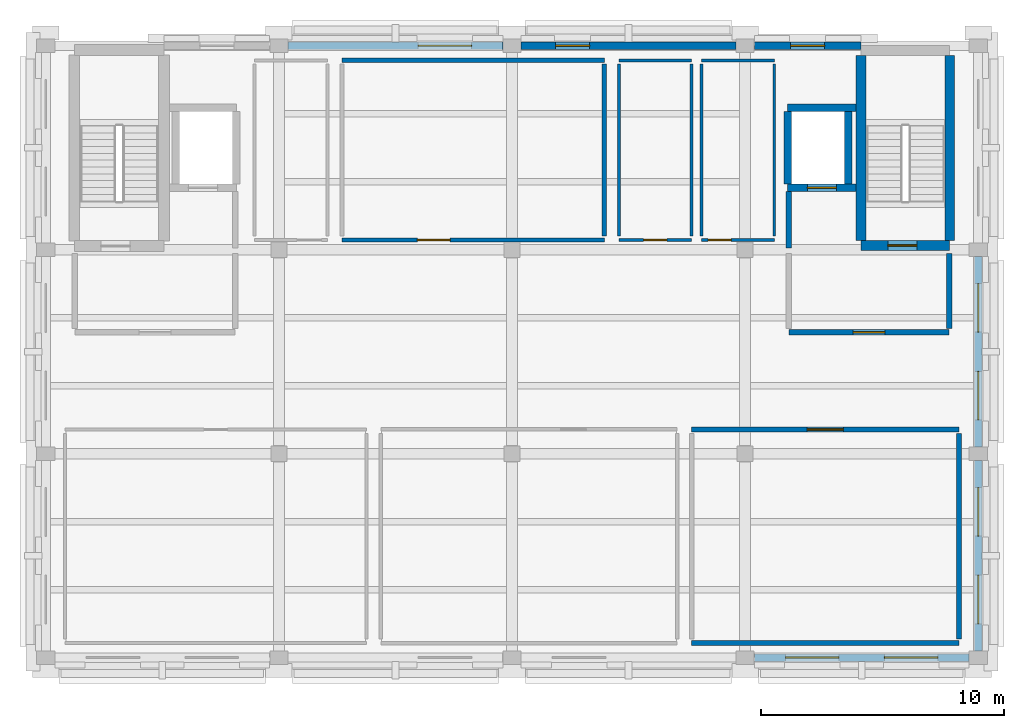
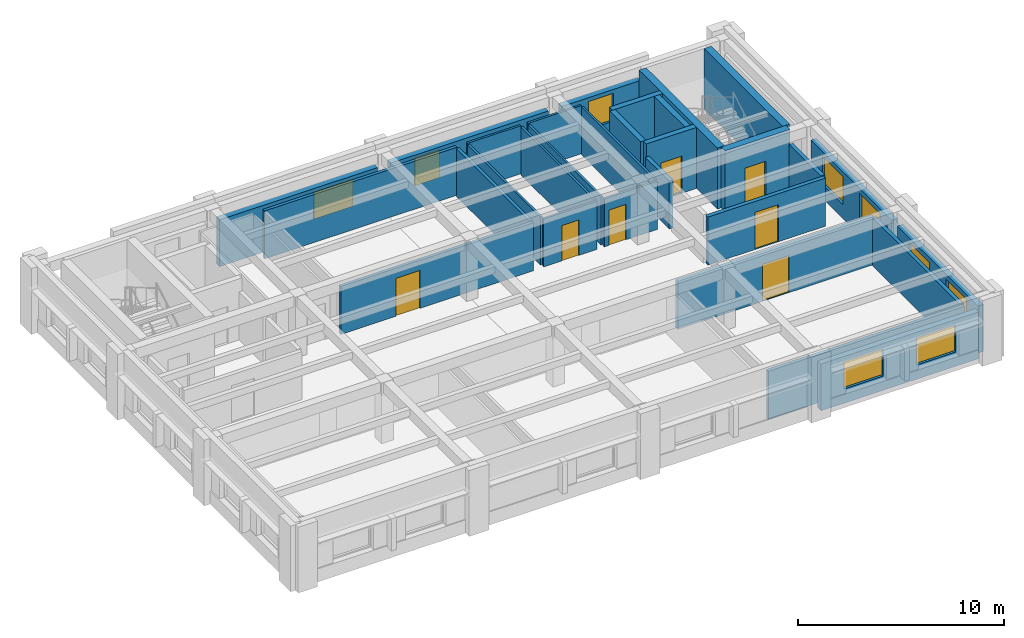
# One storey, part 3 of 7: 30 walls, 9 windows, 7 doors, 16 openings.
"""IFC4 building model written with IfcOpenShell, lengths in metres."""

from ifc_helpers import new_model, si_unit, direction, frame, frame_2d, origin, place, context, subcontext, project, spatial, rectangle, extrude, material, layer, layer_set, type_object, element, fill, save


model = new_model("IFC4")

# Units and contexts
model_context = context("Model", 3, precision=1e-05, world=origin(), true_north=direction((0.0, 1.0)))
body_context = subcontext(model_context, "Body", "Model", "MODEL_VIEW")
ifc_project = project(units=[si_unit("LENGTHUNIT", "METRE"), si_unit("AREAUNIT", "SQUARE_METRE"), si_unit("VOLUMEUNIT", "CUBIC_METRE"), si_unit("PLANEANGLEUNIT", "RADIAN"), si_unit("MASSUNIT", "GRAM", prefix="KILO")], contexts=[model_context])

# Site, building, storey
site_placement = place(None, origin())
site = spatial("IfcSite", under=ifc_project, at=site_placement, CompositionType="ELEMENT")
building_placement = place(site_placement, origin())
building = spatial("IfcBuilding", under=site, at=building_placement, Name="Bempovik Park Faculty of Sciences", CompositionType="ELEMENT")
storey_placement = place(building_placement, frame((0.0, 0.0, 42.300048828125)))
storey = spatial("IfcBuildingStorey", under=building, at=storey_placement, Name="L10", CompositionType="ELEMENT", Elevation=42.300048828125)

# Wall, opening, door
ifc_material_1 = material(Name="Gypsum acoustic stud assembly")
ifc_layer_1 = layer(ifc_material_1, 0.1201171875)
ifc_layer_set_1 = layer_set([ifc_layer_1], Name="Gypsum acoustic stud assembly")
wall_type_1 = type_object("IfcWallType", Name="W-17 Wall 120mm", PredefinedType="PARTITIONING", material=ifc_layer_set_1)
wall_1_placement = place(storey_placement, frame((93.199951171875, 111.39990234375, 0.0), z_axis=(0.0, 0.0, 1.0), x_axis=(1.0, 0.0, 0.0)))
wall_1 = element("IfcWall", 1, at=wall_1_placement, inside=storey, type_object=wall_type_1, Name="L10 L10 Male WC Partition South", PredefinedType="PARTITIONING", context=body_context, shape_type="SweptSolid", body=[
    extrude(rectangle(XDim=3.0, YDim=0.1201171875, at=frame_2d((1.5, 0.0))), origin(), (0.0, 0.0, 1.0), 2.849853515625),
])
opening_1_placement = place(wall_1_placement, frame((1.02490234375, 0.0, 0.0)))
opening_1 = element("IfcOpeningElement", 2, at=opening_1_placement, cuts=wall_1, Name="Opening D-56", PredefinedType="OPENING", context=body_context, shape_type="SweptSolid", body=[
    extrude(rectangle(XDim=0.949951171875, YDim=2.10009765625, at=frame_2d((0.47509765625, 1.050048828125))), frame((0.0, 0.070068359375, 0.0), z_axis=(0.0, -1.0, 0.0), x_axis=(1.0, 0.0, 0.0)), (0.0, 0.0, 1.0), 0.14013671875),
])
ifc_material_2 = material(Name="West African hardwood finish", Category="wood")
door_type_1 = type_object("IfcDoorType", Name="D-56 Door 950x2100", OperationType="NOTDEFINED", PredefinedType="DOOR", material=ifc_material_2)
door_1_placement = place(opening_1_placement, origin())
door_1 = element("IfcDoor", 3, at=door_1_placement, inside=storey, type_object=door_type_1, Name="L10 L10 Male WC Door", OperationType="SINGLE_SWING_LEFT", OverallHeight=2.10009765625, OverallWidth=0.949951171875, PredefinedType="DOOR", context=body_context, shape_type="SweptSolid", body=[
    extrude(rectangle(XDim=0.949951171875, YDim=2.10009765625, at=frame_2d((0.47509765625, 1.050048828125))), frame((0.0, 0.02490234375, 0.0), z_axis=(0.0, -1.0, 0.0), x_axis=(1.0, 0.0, 0.0)), (0.0, 0.0, 1.0), 0.050048828125),
])
fill(opening_1, door_1)

# Walls
wall_2_placement = place(storey_placement, frame((93.199951171875, 118.800048828125, 0.0), z_axis=(0.0, 0.0, 1.0), x_axis=(1.0, 0.0, 0.0)))
element("IfcWall", 4, at=wall_2_placement, inside=storey, type_object=wall_type_1, Name="L10 L10 Male WC Partition North", PredefinedType="PARTITIONING", context=body_context, shape_type="SweptSolid", body=[
    extrude(rectangle(XDim=3.0, YDim=0.1201171875, at=frame_2d((1.5, 0.0))), origin(), (0.0, 0.0, 1.0), 2.849853515625),
])
for number, where, z_axis, x_axis, name in (
    (5, (93.199951171875, 111.56005859375, 0.0), (0.0, 0.0, 1.0), (0.0, 1.0, 0.0), "L10 L10 Male WC Partition West"),
    (6, (96.199951171875, 111.56005859375, 0.0), (0.0, 0.0, 1.0), (0.0, 1.0, 0.0), "L10 L10 Male WC Partition East"),
):
    element("IfcWall", number, at=place(storey_placement, frame(where, z_axis=z_axis, x_axis=x_axis)), inside=storey, type_object=wall_type_1, Name=name, PredefinedType="PARTITIONING", context=body_context, shape_type="SweptSolid", body=[
        extrude(rectangle(XDim=7.079833984375, YDim=0.1201171875, at=frame_2d((3.5400390625, 0.0))), origin(), (0.0, 0.0, 1.0), 2.849853515625),
    ])

# Wall, opening, door
wall_3_placement = place(storey_placement, frame((96.60009765625, 111.39990234375, 0.0), z_axis=(0.0, 0.0, 1.0), x_axis=(1.0, 0.0, 0.0)))
wall_3 = element("IfcWall", 7, at=wall_3_placement, inside=storey, type_object=wall_type_1, Name="L10 L10 Female WC Partition South", PredefinedType="PARTITIONING", context=body_context, shape_type="SweptSolid", body=[
    extrude(rectangle(XDim=3.0, YDim=0.1201171875, at=frame_2d((1.5, 0.0))), origin(), (0.0, 0.0, 1.0), 2.849853515625),
])
opening_2_placement = place(wall_3_placement, frame((0.27490234375, 0.0, 0.0)))
opening_2 = element("IfcOpeningElement", 8, at=opening_2_placement, cuts=wall_3, Name="Opening D-56", PredefinedType="OPENING", context=body_context, shape_type="SweptSolid", body=[
    extrude(rectangle(XDim=0.949951171875, YDim=2.10009765625, at=frame_2d((0.47509765625, 1.050048828125))), frame((0.0, 0.070068359375, 0.0), z_axis=(0.0, -1.0, 0.0), x_axis=(1.0, 0.0, 0.0)), (0.0, 0.0, 1.0), 0.14013671875),
])
door_2_placement = place(opening_2_placement, origin())
door_2 = element("IfcDoor", 9, at=door_2_placement, inside=storey, type_object=door_type_1, Name="L10 L10 Female WC Door", OperationType="SINGLE_SWING_RIGHT", OverallHeight=2.10009765625, OverallWidth=0.949951171875, PredefinedType="DOOR", context=body_context, shape_type="SweptSolid", body=[
    extrude(rectangle(XDim=0.949951171875, YDim=2.10009765625, at=frame_2d((0.47509765625, 1.050048828125))), frame((0.0, 0.02490234375, 0.0), z_axis=(0.0, -1.0, 0.0), x_axis=(1.0, 0.0, 0.0)), (0.0, 0.0, 1.0), 0.050048828125),
])
fill(opening_2, door_2)

# Walls
wall_4_placement = place(storey_placement, frame((96.60009765625, 118.800048828125, 0.0), z_axis=(0.0, 0.0, 1.0), x_axis=(1.0, 0.0, 0.0)))
element("IfcWall", 10, at=wall_4_placement, inside=storey, type_object=wall_type_1, Name="L10 L10 Female WC Partition North", PredefinedType="PARTITIONING", context=body_context, shape_type="SweptSolid", body=[
    extrude(rectangle(XDim=3.0, YDim=0.1201171875, at=frame_2d((1.5, 0.0))), origin(), (0.0, 0.0, 1.0), 2.849853515625),
])
for number, where, z_axis, x_axis, name in (
    (11, (96.60009765625, 111.56005859375, 0.0), (0.0, 0.0, 1.0), (0.0, 1.0, 0.0), "L10 L10 Female WC Partition West"),
    (12, (99.60009765625, 111.56005859375, 0.0), (0.0, 0.0, 1.0), (0.0, 1.0, 0.0), "L10 L10 Female WC Partition East"),
):
    element("IfcWall", number, at=place(storey_placement, frame(where, z_axis=z_axis, x_axis=x_axis)), inside=storey, type_object=wall_type_1, Name=name, PredefinedType="PARTITIONING", context=body_context, shape_type="SweptSolid", body=[
        extrude(rectangle(XDim=7.079833984375, YDim=0.1201171875, at=frame_2d((3.5400390625, 0.0))), origin(), (0.0, 0.0, 1.0), 2.849853515625),
    ])

# Wall, opening, door
ifc_material_3 = material(Name="Concrete C40/50", Category="concrete")
ifc_layer_2 = layer(ifc_material_3, 0.300048828125)
ifc_layer_set_2 = layer_set([ifc_layer_2], Name="Concrete C40/50")
wall_type_2 = type_object("IfcWallType", Name="W-31 Wall 300mm", PredefinedType="SHEAR", material=ifc_layer_set_2)
wall_5_placement = place(storey_placement, frame((100.14990234375, 113.550048828125, 0.0), z_axis=(0.0, 0.0, 1.0), x_axis=(1.0, 0.0, 0.0)))
wall_5 = element("IfcWall", 13, at=wall_5_placement, inside=storey, type_object=wall_type_2, Name="Lift LF-2 L10 Shaft Wall South", PredefinedType="SHEAR", context=body_context, shape_type="SweptSolid", body=[
    extrude(rectangle(XDim=2.8251953125, YDim=0.300048828125, at=frame_2d((1.41259765625, 0.0))), origin(), (0.0, 0.0, 1.0), 3.619873046875),
])
opening_3_placement = place(wall_5_placement, frame((0.8125, 0.0, 0.0)))
opening_3 = element("IfcOpeningElement", 14, at=opening_3_placement, cuts=wall_5, Name="Opening LD-01", PredefinedType="OPENING", context=body_context, shape_type="SweptSolid", body=[
    extrude(rectangle(XDim=1.199951171875, YDim=2.199951171875, at=frame_2d((0.60009765625, 1.10009765625))), frame((0.0, 0.16015625, 0.0), z_axis=(0.0, -1.0, 0.0), x_axis=(1.0, 0.0, 0.0)), (0.0, 0.0, 1.0), 0.320068359375),
])
ifc_material_4 = material(Name="Painted steel S355", Category="steel")
door_type_2 = type_object("IfcDoorType", Name="LD-01 Door 1200x2200", OperationType="NOTDEFINED", PredefinedType="DOOR", material=ifc_material_4)
door_3_placement = place(opening_3_placement, origin())
door_3 = element("IfcDoor", 15, at=door_3_placement, inside=storey, type_object=door_type_2, Name="Lift LF-2 L10 Sliding Landing Door", OperationType="SLIDING_TO_LEFT", OverallHeight=2.199951171875, OverallWidth=1.199951171875, PredefinedType="DOOR", context=body_context, shape_type="SweptSolid", body=[
    extrude(rectangle(XDim=1.199951171875, YDim=2.199951171875, at=frame_2d((0.60009765625, 1.10009765625))), frame((0.0, 0.02490234375, 0.0), z_axis=(0.0, -1.0, 0.0), x_axis=(1.0, 0.0, 0.0)), (0.0, 0.0, 1.0), 0.050048828125),
])
fill(opening_3, door_3)

# Walls
wall_6_placement = place(storey_placement, frame((100.14990234375, 116.85009765625, 0.0), z_axis=(0.0, 0.0, 1.0), x_axis=(1.0, 0.0, 0.0)))
element("IfcWall", 16, at=wall_6_placement, inside=storey, type_object=wall_type_2, Name="Lift LF-2 L10 Shaft Wall North", PredefinedType="SHEAR", context=body_context, shape_type="SweptSolid", body=[
    extrude(rectangle(XDim=2.8251953125, YDim=0.300048828125, at=frame_2d((1.41259765625, 0.0))), origin(), (0.0, 0.0, 1.0), 3.619873046875),
])
for number, where, z_axis, x_axis, name in (
    (17, (100.14990234375, 113.699951171875, 0.0), (0.0, 0.0, 1.0), (0.0, 1.0, 0.0), "Lift LF-2 L10 Shaft Wall West"),
    (18, (102.64990234375, 113.699951171875, 0.0), (0.0, 0.0, 1.0), (0.0, 1.0, 0.0), "Lift LF-2 L10 Shaft Wall East"),
):
    element("IfcWall", number, at=place(storey_placement, frame(where, z_axis=z_axis, x_axis=x_axis)), inside=storey, type_object=wall_type_2, Name=name, PredefinedType="SHEAR", context=body_context, shape_type="SweptSolid", body=[
        extrude(rectangle(XDim=3.0, YDim=0.300048828125, at=frame_2d((1.5, 0.0))), origin(), (0.0, 0.0, 1.0), 3.619873046875),
    ])

# Wall, opening, door
ifc_material_5 = material(Name="Concrete C35/45", Category="concrete")
ifc_layer_3 = layer(ifc_material_5, 0.219970703125)
ifc_layer_set_3 = layer_set([ifc_layer_3], Name="Concrete C35/45")
wall_type_3 = type_object("IfcWallType", Name="W-38 Wall 220mm", PredefinedType="PARTITIONING", material=ifc_layer_set_3)
wall_7_placement = place(storey_placement, frame((100.199951171875, 107.60009765625, 0.0), z_axis=(0.0, 0.0, 1.0), x_axis=(1.0, 0.0, 0.0)))
wall_7 = element("IfcWall", 19, at=wall_7_placement, inside=storey, type_object=wall_type_3, Name="L10 Firefighting Lift Lobby East Partition South", PredefinedType="PARTITIONING", context=body_context, shape_type="SweptSolid", body=[
    extrude(rectangle(XDim=6.60009765625, YDim=0.219970703125, at=frame_2d((3.300048828125, 0.0))), origin(), (0.0, 0.0, 1.0), 2.849853515625),
])
opening_4_placement = place(wall_7_placement, frame((2.64990234375, 0.0, 0.0)))
opening_4 = element("IfcOpeningElement", 20, at=opening_4_placement, cuts=wall_7, Name="Opening D-38", PredefinedType="OPENING", context=body_context, shape_type="SweptSolid", body=[
    extrude(rectangle(XDim=1.300048828125, YDim=2.199951171875, at=frame_2d((0.64990234375, 1.10009765625))), frame((0.0, 0.1201171875, 0.0), z_axis=(0.0, -1.0, 0.0), x_axis=(1.0, 0.0, 0.0)), (0.0, 0.0, 1.0), 0.239990234375),
])
door_type_3 = type_object("IfcDoorType", Name="D-38 Door 1300x2200", OperationType="NOTDEFINED", PredefinedType="DOOR", material=ifc_material_4)
door_4_placement = place(opening_4_placement, origin())
door_4 = element("IfcDoor", 21, at=door_4_placement, inside=storey, type_object=door_type_3, Name="L10 Firefighting Lift Lobby East Door", OperationType="SINGLE_SWING_LEFT", OverallHeight=2.199951171875, OverallWidth=1.300048828125, PredefinedType="DOOR", context=body_context, shape_type="SweptSolid", body=[
    extrude(rectangle(XDim=1.300048828125, YDim=2.199951171875, at=frame_2d((0.64990234375, 1.10009765625))), frame((0.0, 0.02490234375, 0.0), z_axis=(0.0, -1.0, 0.0), x_axis=(1.0, 0.0, 0.0)), (0.0, 0.0, 1.0), 0.050048828125),
])
fill(opening_4, door_4)

# Walls
wall_8_placement = place(storey_placement, frame((100.199951171875, 111.080078125, 0.0), z_axis=(0.0, 0.0, 1.0), x_axis=(0.0, 1.0, 0.0)))
element("IfcWall", 22, at=wall_8_placement, inside=storey, type_object=wall_type_3, Name="L10 Firefighting Lobby East Lift Link Wall", PredefinedType="PARTITIONING", context=body_context, shape_type="SweptSolid", body=[
    extrude(rectangle(XDim=2.31982421875, YDim=0.219970703125, at=frame_2d((1.159912109375, 0.0))), origin(), (0.0, 0.0, 1.0), 2.849853515625),
])
wall_9_placement = place(storey_placement, frame((106.800048828125, 107.760009765625, 0.0), z_axis=(0.0, 0.0, 1.0), x_axis=(0.0, 1.0, 0.0)))
element("IfcWall", 23, at=wall_9_placement, inside=storey, type_object=wall_type_3, Name="L10 Firefighting Lift Lobby East Partition East", PredefinedType="PARTITIONING", context=body_context, shape_type="SweptSolid", body=[
    extrude(rectangle(XDim=3.080078125, YDim=0.219970703125, at=frame_2d((1.5400390625, 0.0))), origin(), (0.0, 0.0, 1.0), 2.849853515625),
])

# Wall, opening, door
ifc_layer_4 = layer(ifc_material_3, 0.39990234375)
ifc_layer_set_4 = layer_set([ifc_layer_4], Name="Concrete C40/50")
wall_type_4 = type_object("IfcWallType", Name="W-47 Wall 400mm", PredefinedType="SHEAR", material=ifc_layer_set_4)
wall_10_placement = place(storey_placement, frame((103.175048828125, 111.175048828125, 0.0), z_axis=(0.0, 0.0, 1.0), x_axis=(1.0, 0.0, 0.0)))
wall_10 = element("IfcWall", 24, at=wall_10_placement, inside=storey, type_object=wall_type_4, Name="ST-2 L10 Core Shear Wall South", PredefinedType="SHEAR", context=body_context, shape_type="SweptSolid", body=[
    extrude(rectangle(XDim=3.64990234375, YDim=0.39990234375, at=frame_2d((1.824951171875, 0.0))), origin(), (0.0, 0.0, 1.0), 3.619873046875),
])
opening_5_placement = place(wall_10_placement, frame((1.10009765625, 0.0, 0.0)))
opening_5 = element("IfcOpeningElement", 25, at=opening_5_placement, cuts=wall_10, Name="Opening D-49", PredefinedType="OPENING", context=body_context, shape_type="SweptSolid", body=[
    extrude(rectangle(XDim=1.199951171875, YDim=2.199951171875, at=frame_2d((0.60009765625, 1.10009765625))), frame((0.0, 0.2099609375, 0.0), z_axis=(0.0, -1.0, 0.0), x_axis=(1.0, 0.0, 0.0)), (0.0, 0.0, 1.0), 0.419921875),
])
door_type_4 = type_object("IfcDoorType", Name="D-49 Door 1200x2200", OperationType="NOTDEFINED", PredefinedType="DOOR", material=ifc_material_4)
door_5_placement = place(opening_5_placement, origin())
door_5 = element("IfcDoor", 26, at=door_5_placement, inside=storey, type_object=door_type_4, Name="ST-2 L10 Protected Stair Smoke Door", OperationType="SINGLE_SWING_RIGHT", OverallHeight=2.199951171875, OverallWidth=1.199951171875, PredefinedType="DOOR", context=body_context, shape_type="SweptSolid", body=[
    extrude(rectangle(XDim=1.199951171875, YDim=2.199951171875, at=frame_2d((0.60009765625, 1.10009765625))), frame((0.0, 0.02490234375, 0.0), z_axis=(0.0, -1.0, 0.0), x_axis=(1.0, 0.0, 0.0)), (0.0, 0.0, 1.0), 0.050048828125),
])
fill(opening_5, door_5)

# Walls
for number, where, z_axis, x_axis, name in (
    (27, (103.175048828125, 111.375, 0.0), (0.0, 0.0, 1.0), (0.0, 1.0, 0.0), "ST-2 L10 Core Shear Wall West"),
    (28, (106.824951171875, 111.375, 0.0), (0.0, 0.0, 1.0), (0.0, 1.0, 0.0), "ST-2 L10 Core Shear Wall East"),
):
    element("IfcWall", number, at=place(storey_placement, frame(where, z_axis=z_axis, x_axis=x_axis)), inside=storey, type_object=wall_type_4, Name=name, PredefinedType="SHEAR", context=body_context, shape_type="SweptSolid", body=[
        extrude(rectangle(XDim=7.625, YDim=0.39990234375, at=frame_2d((3.8125, 0.0))), origin(), (0.0, 0.0, 1.0), 3.619873046875),
    ])

# Wall, opening, door
ifc_layer_5 = layer(ifc_material_5, 0.169921875)
ifc_layer_set_5 = layer_set([ifc_layer_5], Name="Concrete C35/45")
wall_type_5 = type_object("IfcWallType", Name="W-50 Wall 170mm", PredefinedType="PARTITIONING", material=ifc_layer_set_5)
wall_11_placement = place(storey_placement, frame((81.800048828125, 111.39990234375, 0.0), z_axis=(0.0, 0.0, 1.0), x_axis=(1.0, 0.0, 0.0)))
wall_11 = element("IfcWall", 29, at=wall_11_placement, inside=storey, type_object=wall_type_5, Name="L10 Rare Scientific Manuscripts Archive Partition South", PredefinedType="PARTITIONING", context=body_context, shape_type="SweptSolid", body=[
    extrude(rectangle(XDim=10.800048828125, YDim=0.169921875, at=frame_2d((5.39990234375, 0.0))), origin(), (0.0, 0.0, 1.0), 2.849853515625),
])
opening_6_placement = place(wall_11_placement, frame((3.10498046875, 0.0, 0.0)))
opening_6 = element("IfcOpeningElement", 30, at=opening_6_placement, cuts=wall_11, Name="Opening D-69", PredefinedType="OPENING", context=body_context, shape_type="SweptSolid", body=[
    extrude(rectangle(XDim=1.35009765625, YDim=2.25, at=frame_2d((0.675048828125, 1.125))), frame((0.0, 0.094970703125, 0.0), z_axis=(0.0, -1.0, 0.0), x_axis=(1.0, 0.0, 0.0)), (0.0, 0.0, 1.0), 0.18994140625),
])
door_type_5 = type_object("IfcDoorType", Name="D-69 Door 1350x2250", OperationType="NOTDEFINED", PredefinedType="DOOR", material=ifc_material_2)
door_6_placement = place(opening_6_placement, origin())
door_6 = element("IfcDoor", 31, at=door_6_placement, inside=storey, type_object=door_type_5, Name="L10 Rare Scientific Manuscripts Archive Door", OperationType="SINGLE_SWING_RIGHT", OverallHeight=2.25, OverallWidth=1.35009765625, PredefinedType="DOOR", context=body_context, shape_type="SweptSolid", body=[
    extrude(rectangle(XDim=1.35009765625, YDim=2.25, at=frame_2d((0.675048828125, 1.125))), frame((0.0, 0.02490234375, 0.0), z_axis=(0.0, -1.0, 0.0), x_axis=(1.0, 0.0, 0.0)), (0.0, 0.0, 1.0), 0.050048828125),
])
fill(opening_6, door_6)

# Walls
wall_12_placement = place(storey_placement, frame((81.800048828125, 118.800048828125, 0.0), z_axis=(0.0, 0.0, 1.0), x_axis=(1.0, 0.0, 0.0)))
element("IfcWall", 32, at=wall_12_placement, inside=storey, type_object=wall_type_5, Name="L10 Rare Scientific Manuscripts Archive Partition North", PredefinedType="PARTITIONING", context=body_context, shape_type="SweptSolid", body=[
    extrude(rectangle(XDim=10.800048828125, YDim=0.169921875, at=frame_2d((5.39990234375, 0.0))), origin(), (0.0, 0.0, 1.0), 2.849853515625),
])
wall_13_placement = place(storey_placement, frame((92.60009765625, 111.56005859375, 0.0), z_axis=(0.0, 0.0, 1.0), x_axis=(0.0, 1.0, 0.0)))
element("IfcWall", 33, at=wall_13_placement, inside=storey, type_object=wall_type_5, Name="L10 Rare Scientific Manuscripts Archive Partition East", PredefinedType="PARTITIONING", context=body_context, shape_type="SweptSolid", body=[
    extrude(rectangle(XDim=7.079833984375, YDim=0.169921875, at=frame_2d((3.5400390625, 0.0))), origin(), (0.0, 0.0, 1.0), 2.849853515625),
])

# Wall, openings, windows
ifc_material_6 = material(Name="Precast concrete C40/50", Category="concrete")
ifc_layer_6 = layer(ifc_material_6, 0.320068359375)
ifc_layer_set_6 = layer_set([ifc_layer_6], Name="Precast concrete C40/50")
wall_type_6 = type_object("IfcWallType", Name="W-56 Wall 320mm", PredefinedType="SOLIDWALL", material=ifc_layer_set_6)
wall_14_placement = place(storey_placement, frame((108.0, 94.47705078125, 0.0), z_axis=(0.0, 0.0, 1.0), x_axis=(0.0, 1.0, 0.0)))
wall_14 = element("IfcWall", 34, at=wall_14_placement, inside=storey, type_object=wall_type_6, Name="L10 Classical Precast Facade Wall EW-L10-11137", PredefinedType="SOLIDWALL", context=body_context, shape_type="SweptSolid", body=[
    extrude(rectangle(XDim=7.845947265625, YDim=0.320068359375, at=frame_2d((3.9228515625, 0.0))), origin(), (0.0, 0.0, 1.0), 2.780029296875),
])
opening_7_placement = place(wall_14_placement, frame((1.118408203125, 0.0, 0.85009765625)))
opening_7 = element("IfcOpeningElement", 35, at=opening_7_placement, cuts=wall_14, Name="Opening WN-35", PredefinedType="OPENING", context=body_context, shape_type="SweptSolid", body=[
    extrude(rectangle(XDim=2.0, YDim=1.64990234375, at=frame_2d((1.0, 0.824951171875))), frame((0.0, 0.169921875, 0.0), z_axis=(0.0, -1.0, 0.0), x_axis=(1.0, 0.0, 0.0)), (0.0, 0.0, 1.0), 0.340087890625),
])
opening_8_placement = place(wall_14_placement, frame((4.7275390625, 0.0, 0.85009765625)))
opening_8 = element("IfcOpeningElement", 36, at=opening_8_placement, cuts=wall_14, Name="Opening WN-35", PredefinedType="OPENING", context=body_context, shape_type="SweptSolid", body=[
    extrude(rectangle(XDim=2.0, YDim=1.64990234375, at=frame_2d((1.0, 0.824951171875))), frame((0.0, 0.169921875, 0.0), z_axis=(0.0, -1.0, 0.0), x_axis=(1.0, 0.0, 0.0)), (0.0, 0.0, 1.0), 0.340087890625),
])
ifc_material_7 = material(Name="Tempered laminated low-E glass", Category="glass")
window_type_1 = type_object("IfcWindowType", Name="WN-35 Window 2000x1650", PartitioningType="SINGLE_PANEL", PredefinedType="WINDOW", material=ifc_material_7)
window_1_placement = place(opening_7_placement, origin())
window_1 = element("IfcWindow", 37, at=window_1_placement, inside=storey, type_object=window_type_1, Name="L10 Window EW-L10-11137-1", OverallHeight=1.64990234375, OverallWidth=2.0, PartitioningType="SINGLE_PANEL", PredefinedType="WINDOW", context=body_context, shape_type="SweptSolid", body=[
    extrude(rectangle(XDim=2.0, YDim=1.64990234375, at=frame_2d((1.0, 0.824951171875))), frame((0.0, 0.030029296875, 0.0), z_axis=(0.0, -1.0, 0.0), x_axis=(1.0, 0.0, 0.0)), (0.0, 0.0, 1.0), 0.06005859375),
])
fill(opening_7, window_1)
window_2_placement = place(opening_8_placement, origin())
window_2 = element("IfcWindow", 38, at=window_2_placement, inside=storey, type_object=window_type_1, Name="L10 Window EW-L10-11137-2", OverallHeight=1.64990234375, OverallWidth=2.0, PartitioningType="SINGLE_PANEL", PredefinedType="WINDOW", context=body_context, shape_type="SweptSolid", body=[
    extrude(rectangle(XDim=2.0, YDim=1.64990234375, at=frame_2d((1.0, 0.824951171875))), frame((0.0, 0.030029296875, 0.0), z_axis=(0.0, -1.0, 0.0), x_axis=(1.0, 0.0, 0.0)), (0.0, 0.0, 1.0), 0.06005859375),
])
fill(opening_8, window_2)

wall_15_placement = place(storey_placement, frame((108.0, 102.876953125, 0.0), z_axis=(0.0, 0.0, 1.0), x_axis=(0.0, 1.0, 0.0)))
wall_15 = element("IfcWall", 39, at=wall_15_placement, inside=storey, type_object=wall_type_6, Name="L10 Classical Precast Facade Wall EW-L10-11150", PredefinedType="SOLIDWALL", context=body_context, shape_type="SweptSolid", body=[
    extrude(rectangle(XDim=7.845947265625, YDim=0.320068359375, at=frame_2d((3.9228515625, 0.0))), origin(), (0.0, 0.0, 1.0), 2.780029296875),
])
opening_9_placement = place(wall_15_placement, frame((1.118408203125, 0.0, 0.85009765625)))
opening_9 = element("IfcOpeningElement", 40, at=opening_9_placement, cuts=wall_15, Name="Opening WN-35", PredefinedType="OPENING", context=body_context, shape_type="SweptSolid", body=[
    extrude(rectangle(XDim=2.0, YDim=1.64990234375, at=frame_2d((1.0, 0.824951171875))), frame((0.0, 0.169921875, 0.0), z_axis=(0.0, -1.0, 0.0), x_axis=(1.0, 0.0, 0.0)), (0.0, 0.0, 1.0), 0.340087890625),
])
opening_10_placement = place(wall_15_placement, frame((4.7275390625, 0.0, 0.85009765625)))
opening_10 = element("IfcOpeningElement", 41, at=opening_10_placement, cuts=wall_15, Name="Opening WN-35", PredefinedType="OPENING", context=body_context, shape_type="SweptSolid", body=[
    extrude(rectangle(XDim=2.0, YDim=1.64990234375, at=frame_2d((1.0, 0.824951171875))), frame((0.0, 0.169921875, 0.0), z_axis=(0.0, -1.0, 0.0), x_axis=(1.0, 0.0, 0.0)), (0.0, 0.0, 1.0), 0.340087890625),
])
window_3_placement = place(opening_9_placement, origin())
window_3 = element("IfcWindow", 42, at=window_3_placement, inside=storey, type_object=window_type_1, Name="L10 Window EW-L10-11150-1", OverallHeight=1.64990234375, OverallWidth=2.0, PartitioningType="SINGLE_PANEL", PredefinedType="WINDOW", context=body_context, shape_type="SweptSolid", body=[
    extrude(rectangle(XDim=2.0, YDim=1.64990234375, at=frame_2d((1.0, 0.824951171875))), frame((0.0, 0.030029296875, 0.0), z_axis=(0.0, -1.0, 0.0), x_axis=(1.0, 0.0, 0.0)), (0.0, 0.0, 1.0), 0.06005859375),
])
fill(opening_9, window_3)
window_4_placement = place(opening_10_placement, origin())
window_4 = element("IfcWindow", 43, at=window_4_placement, inside=storey, type_object=window_type_1, Name="L10 Window EW-L10-11150-2", OverallHeight=1.64990234375, OverallWidth=2.0, PartitioningType="SINGLE_PANEL", PredefinedType="WINDOW", context=body_context, shape_type="SweptSolid", body=[
    extrude(rectangle(XDim=2.0, YDim=1.64990234375, at=frame_2d((1.0, 0.824951171875))), frame((0.0, 0.030029296875, 0.0), z_axis=(0.0, -1.0, 0.0), x_axis=(1.0, 0.0, 0.0)), (0.0, 0.0, 1.0), 0.06005859375),
])
fill(opening_10, window_4)

# Wall, opening, window
wall_16_placement = place(storey_placement, frame((79.576904296875, 119.39990234375, 0.0), z_axis=(0.0, 0.0, 1.0), x_axis=(1.0, 0.0, 0.0)))
wall_16 = element("IfcWall", 44, at=wall_16_placement, inside=storey, type_object=wall_type_6, Name="L10 Classical Precast Facade Wall EW-L10-11181", PredefinedType="SOLIDWALL", context=body_context, shape_type="SweptSolid", body=[
    extrude(rectangle(XDim=8.84619140625, YDim=0.320068359375, at=frame_2d((4.423095703125, 0.0))), origin(), (0.0, 0.0, 1.0), 2.780029296875),
])
opening_11_placement = place(wall_16_placement, frame((5.357666015625, 0.0, 0.85009765625)))
opening_11 = element("IfcOpeningElement", 45, at=opening_11_placement, cuts=wall_16, Name="Opening WN-63", PredefinedType="OPENING", context=body_context, shape_type="SweptSolid", body=[
    extrude(rectangle(XDim=2.199951171875, YDim=1.60009765625, at=frame_2d((1.10009765625, 0.800048828125))), frame((0.0, 0.169921875, 0.0), z_axis=(0.0, -1.0, 0.0), x_axis=(1.0, 0.0, 0.0)), (0.0, 0.0, 1.0), 0.340087890625),
])
window_type_2 = type_object("IfcWindowType", Name="WN-63 Window 2200x1600", PartitioningType="SINGLE_PANEL", PredefinedType="WINDOW", material=ifc_material_7)
window_5_placement = place(opening_11_placement, origin())
window_5 = element("IfcWindow", 46, at=window_5_placement, inside=storey, type_object=window_type_2, Name="L10 Window EW-L10-11181-2", OverallHeight=1.60009765625, OverallWidth=2.199951171875, PartitioningType="SINGLE_PANEL", PredefinedType="WINDOW", context=body_context, shape_type="SweptSolid", body=[
    extrude(rectangle(XDim=2.199951171875, YDim=1.60009765625, at=frame_2d((1.10009765625, 0.800048828125))), frame((0.0, 0.030029296875, 0.0), z_axis=(0.0, -1.0, 0.0), x_axis=(1.0, 0.0, 0.0)), (0.0, 0.0, 1.0), 0.06005859375),
])
fill(opening_11, window_5)

wall_17_placement = place(storey_placement, frame((89.177001953125, 119.39990234375, 0.0), z_axis=(0.0, 0.0, 1.0), x_axis=(1.0, 0.0, 0.0)))
wall_17 = element("IfcWall", 47, at=wall_17_placement, inside=storey, type_object=wall_type_6, Name="L10 Classical Precast Facade Wall EW-L10-11191", PredefinedType="SOLIDWALL", context=body_context, shape_type="SweptSolid", body=[
    extrude(rectangle(XDim=8.845947265625, YDim=0.320068359375, at=frame_2d((4.4228515625, 0.0))), origin(), (0.0, 0.0, 1.0), 2.780029296875),
])
opening_12_placement = place(wall_17_placement, frame((1.423095703125, 0.0, 0.85009765625)))
opening_12 = element("IfcOpeningElement", 48, at=opening_12_placement, cuts=wall_17, Name="Opening WN-84", PredefinedType="OPENING", context=body_context, shape_type="SweptSolid", body=[
    extrude(rectangle(XDim=1.39990234375, YDim=1.64990234375, at=frame_2d((0.699951171875, 0.824951171875))), frame((0.0, 0.169921875, 0.0), z_axis=(0.0, -1.0, 0.0), x_axis=(1.0, 0.0, 0.0)), (0.0, 0.0, 1.0), 0.340087890625),
])
window_type_3 = type_object("IfcWindowType", Name="WN-84 Window 1400x1650", PartitioningType="SINGLE_PANEL", PredefinedType="WINDOW", material=ifc_material_7)
window_6_placement = place(opening_12_placement, origin())
window_6 = element("IfcWindow", 49, at=window_6_placement, inside=storey, type_object=window_type_3, Name="L10 Window EW-L10-11191-FB", OverallHeight=1.64990234375, OverallWidth=1.39990234375, PartitioningType="SINGLE_PANEL", PredefinedType="WINDOW", context=body_context, shape_type="SweptSolid", body=[
    extrude(rectangle(XDim=1.39990234375, YDim=1.64990234375, at=frame_2d((0.699951171875, 0.824951171875))), frame((0.0, 0.030029296875, 0.0), z_axis=(0.0, -1.0, 0.0), x_axis=(1.0, 0.0, 0.0)), (0.0, 0.0, 1.0), 0.06005859375),
])
fill(opening_12, window_6)

wall_18_placement = place(storey_placement, frame((98.777099609375, 119.39990234375, 0.0), z_axis=(0.0, 0.0, 1.0), x_axis=(1.0, 0.0, 0.0)))
wall_18 = element("IfcWall", 50, at=wall_18_placement, inside=storey, type_object=wall_type_6, Name="L10 Classical Precast Facade Wall EW-L10-11201", PredefinedType="SOLIDWALL", context=body_context, shape_type="SweptSolid", body=[
    extrude(rectangle(XDim=4.39697265625, YDim=0.320068359375, at=frame_2d((2.198486328125, 0.0))), origin(), (0.0, 0.0, 1.0), 2.780029296875),
])
opening_13_placement = place(wall_18_placement, frame((1.49853515625, 0.0, 0.89990234375)))
opening_13 = element("IfcOpeningElement", 51, at=opening_13_placement, cuts=wall_18, Name="Opening WN-84", PredefinedType="OPENING", context=body_context, shape_type="SweptSolid", body=[
    extrude(rectangle(XDim=1.39990234375, YDim=1.64990234375, at=frame_2d((0.699951171875, 0.824951171875))), frame((0.0, 0.169921875, 0.0), z_axis=(0.0, -1.0, 0.0), x_axis=(1.0, 0.0, 0.0)), (0.0, 0.0, 1.0), 0.340087890625),
])
window_7_placement = place(opening_13_placement, origin())
window_7 = element("IfcWindow", 52, at=window_7_placement, inside=storey, type_object=window_type_3, Name="L10 Stairwell Classical Lancet Window EW-L10-11201", OverallHeight=1.64990234375, OverallWidth=1.39990234375, PartitioningType="SINGLE_PANEL", PredefinedType="WINDOW", context=body_context, shape_type="SweptSolid", body=[
    extrude(rectangle(XDim=1.39990234375, YDim=1.64990234375, at=frame_2d((0.699951171875, 0.824951171875))), frame((0.0, 0.030029296875, 0.0), z_axis=(0.0, -1.0, 0.0), x_axis=(1.0, 0.0, 0.0)), (0.0, 0.0, 1.0), 0.06005859375),
])
fill(opening_13, window_7)

# Wall, openings, windows
wall_19_placement = place(storey_placement, frame((98.777099609375, 94.199951171875, 0.0), z_axis=(0.0, 0.0, 1.0), x_axis=(1.0, 0.0, 0.0)))
wall_19 = element("IfcWall", 53, at=wall_19_placement, inside=storey, type_object=wall_type_6, Name="L10 Classical Precast Facade Wall EW-L10-11277", PredefinedType="SOLIDWALL", context=body_context, shape_type="SweptSolid", body=[
    extrude(rectangle(XDim=8.845947265625, YDim=0.320068359375, at=frame_2d((4.4228515625, 0.0))), origin(), (0.0, 0.0, 1.0), 2.780029296875),
])
opening_14_placement = place(wall_19_placement, frame((1.288330078125, 0.0, 0.85009765625)))
opening_14 = element("IfcOpeningElement", 54, at=opening_14_placement, cuts=wall_19, Name="Opening WN-63", PredefinedType="OPENING", context=body_context, shape_type="SweptSolid", body=[
    extrude(rectangle(XDim=2.199951171875, YDim=1.60009765625, at=frame_2d((1.10009765625, 0.800048828125))), frame((0.0, 0.169921875, 0.0), z_axis=(0.0, -1.0, 0.0), x_axis=(1.0, 0.0, 0.0)), (0.0, 0.0, 1.0), 0.340087890625),
])
opening_15_placement = place(wall_19_placement, frame((5.357666015625, 0.0, 0.85009765625)))
opening_15 = element("IfcOpeningElement", 55, at=opening_15_placement, cuts=wall_19, Name="Opening WN-63", PredefinedType="OPENING", context=body_context, shape_type="SweptSolid", body=[
    extrude(rectangle(XDim=2.199951171875, YDim=1.60009765625, at=frame_2d((1.10009765625, 0.800048828125))), frame((0.0, 0.169921875, 0.0), z_axis=(0.0, -1.0, 0.0), x_axis=(1.0, 0.0, 0.0)), (0.0, 0.0, 1.0), 0.340087890625),
])
window_8_placement = place(opening_14_placement, origin())
window_8 = element("IfcWindow", 56, at=window_8_placement, inside=storey, type_object=window_type_2, Name="L10 Window EW-L10-11277-1", OverallHeight=1.60009765625, OverallWidth=2.199951171875, PartitioningType="SINGLE_PANEL", PredefinedType="WINDOW", context=body_context, shape_type="SweptSolid", body=[
    extrude(rectangle(XDim=2.199951171875, YDim=1.60009765625, at=frame_2d((1.10009765625, 0.800048828125))), frame((0.0, 0.030029296875, 0.0), z_axis=(0.0, -1.0, 0.0), x_axis=(1.0, 0.0, 0.0)), (0.0, 0.0, 1.0), 0.06005859375),
])
fill(opening_14, window_8)
window_9_placement = place(opening_15_placement, origin())
window_9 = element("IfcWindow", 57, at=window_9_placement, inside=storey, type_object=window_type_2, Name="L10 Window EW-L10-11277-2", OverallHeight=1.60009765625, OverallWidth=2.199951171875, PartitioningType="SINGLE_PANEL", PredefinedType="WINDOW", context=body_context, shape_type="SweptSolid", body=[
    extrude(rectangle(XDim=2.199951171875, YDim=1.60009765625, at=frame_2d((1.10009765625, 0.800048828125))), frame((0.0, 0.030029296875, 0.0), z_axis=(0.0, -1.0, 0.0), x_axis=(1.0, 0.0, 0.0)), (0.0, 0.0, 1.0), 0.06005859375),
])
fill(opening_15, window_9)

# Wall
ifc_layer_7 = layer(ifc_material_5, 0.199951171875)
ifc_layer_set_7 = layer_set([ifc_layer_7], Name="Concrete C35/45")
wall_type_7 = type_object("IfcWallType", Name="W-59 Wall 200mm", PredefinedType="PARTITIONING", material=ifc_layer_set_7)
wall_20_placement = place(storey_placement, frame((96.199951171875, 94.800048828125, 0.0), z_axis=(0.0, 0.0, 1.0), x_axis=(1.0, 0.0, 0.0)))
element("IfcWall", 58, at=wall_20_placement, inside=storey, type_object=wall_type_7, Name="L10 Bioinformatics Research Laboratory Partition South", PredefinedType="PARTITIONING", context=body_context, shape_type="SweptSolid", body=[
    extrude(rectangle(XDim=11.0, YDim=0.199951171875, at=frame_2d((5.5, 0.0))), origin(), (0.0, 0.0, 1.0), 2.849853515625),
])

# Wall, opening, door
wall_21_placement = place(storey_placement, frame((96.199951171875, 103.60009765625, 0.0), z_axis=(0.0, 0.0, 1.0), x_axis=(1.0, 0.0, 0.0)))
wall_21 = element("IfcWall", 59, at=wall_21_placement, inside=storey, type_object=wall_type_7, Name="L10 Bioinformatics Research Laboratory Partition North", PredefinedType="PARTITIONING", context=body_context, shape_type="SweptSolid", body=[
    extrude(rectangle(XDim=11.0, YDim=0.199951171875, at=frame_2d((5.5, 0.0))), origin(), (0.0, 0.0, 1.0), 2.849853515625),
])
opening_16_placement = place(wall_21_placement, frame((4.75, 0.0, 0.0)))
opening_16 = element("IfcOpeningElement", 60, at=opening_16_placement, cuts=wall_21, Name="Opening D-22", PredefinedType="OPENING", context=body_context, shape_type="SweptSolid", body=[
    extrude(rectangle(XDim=1.5, YDim=2.199951171875, at=frame_2d((0.75, 1.10009765625))), frame((0.0, 0.10986328125, 0.0), z_axis=(0.0, -1.0, 0.0), x_axis=(1.0, 0.0, 0.0)), (0.0, 0.0, 1.0), 0.219970703125),
])
door_type_6 = type_object("IfcDoorType", Name="D-22 Door 1500x2200", OperationType="NOTDEFINED", PredefinedType="DOOR", material=ifc_material_2)
door_7_placement = place(opening_16_placement, origin())
door_7 = element("IfcDoor", 61, at=door_7_placement, inside=storey, type_object=door_type_6, Name="L10 Bioinformatics Research Laboratory Door", OperationType="SINGLE_SWING_LEFT", OverallHeight=2.199951171875, OverallWidth=1.5, PredefinedType="DOOR", context=body_context, shape_type="SweptSolid", body=[
    extrude(rectangle(XDim=1.5, YDim=2.199951171875, at=frame_2d((0.75, 1.10009765625))), frame((0.0, 0.02490234375, 0.0), z_axis=(0.0, -1.0, 0.0), x_axis=(1.0, 0.0, 0.0)), (0.0, 0.0, 1.0), 0.050048828125),
])
fill(opening_16, door_7)

# Wall
wall_22_placement = place(storey_placement, frame((107.199951171875, 94.9599609375, 0.0), z_axis=(0.0, 0.0, 1.0), x_axis=(0.0, 1.0, 0.0)))
element("IfcWall", 62, at=wall_22_placement, inside=storey, type_object=wall_type_7, Name="L10 Bioinformatics Research Laboratory Partition East", PredefinedType="PARTITIONING", context=body_context, shape_type="SweptSolid", body=[
    extrude(rectangle(XDim=8.47998046875, YDim=0.199951171875, at=frame_2d((4.239990234375, 0.0))), origin(), (0.0, 0.0, 1.0), 2.849853515625),
])

save(model, "model.ifc")
